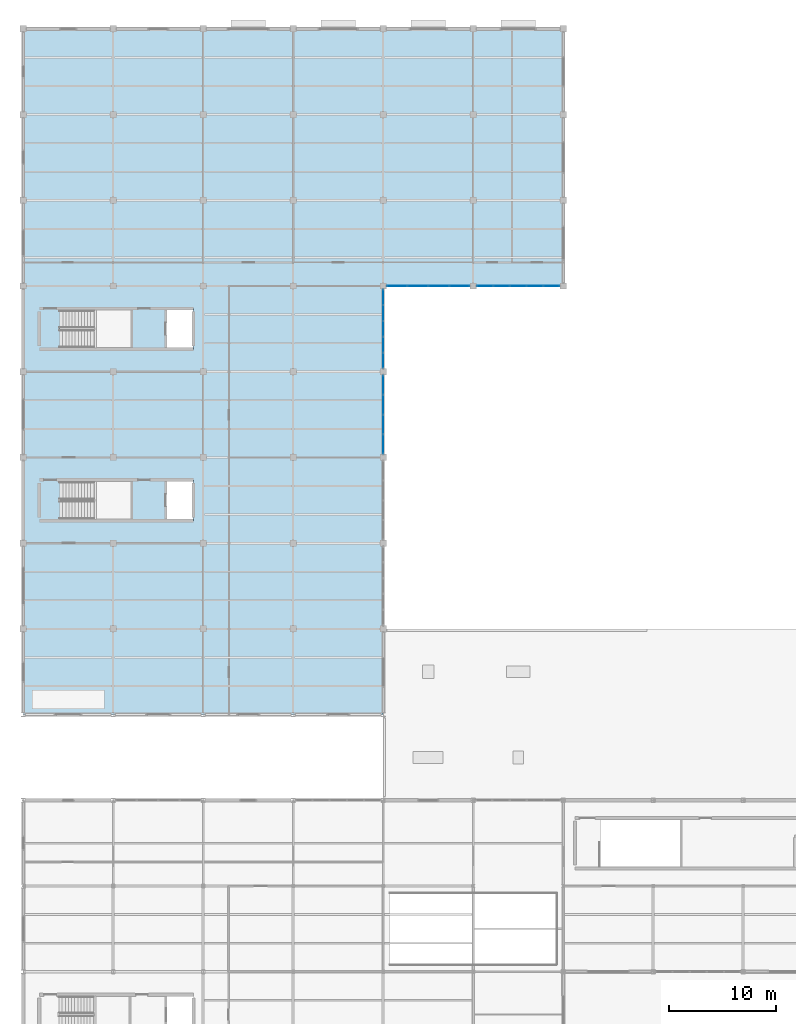
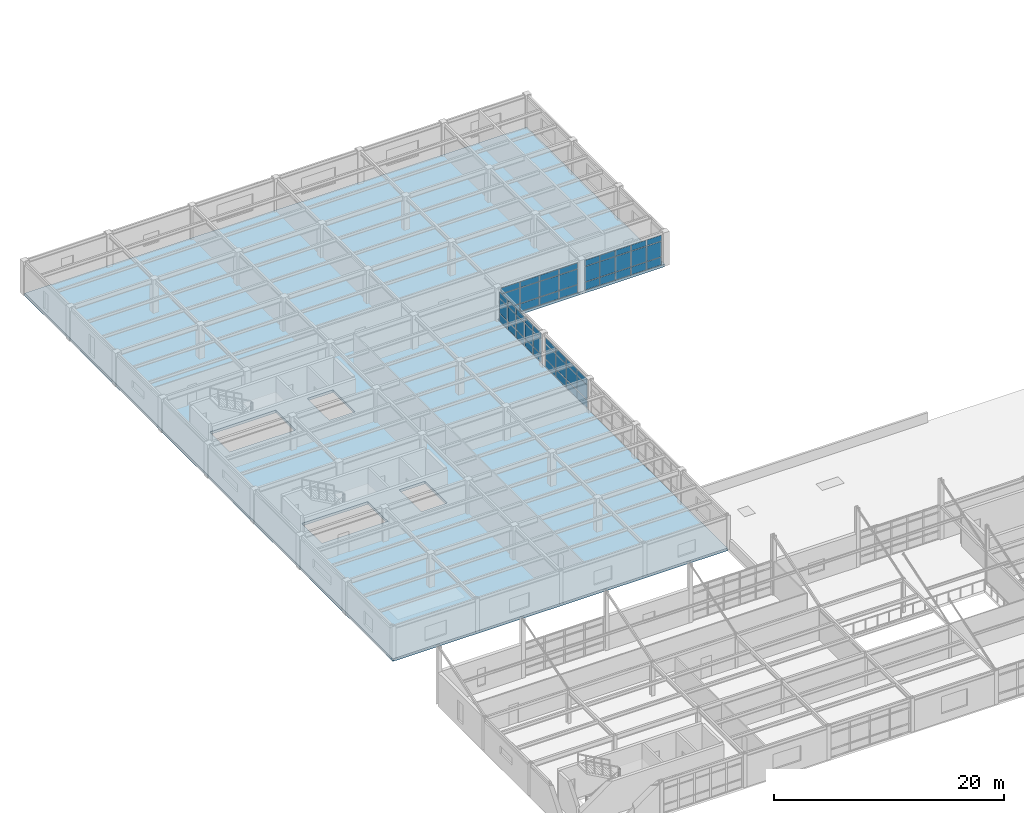
# One storey, part 40 of 96: 54 plates, 1 slab, 4 elements without a shape of their own.
"""IFC4 building model written with IfcOpenShell, lengths in metres."""

from ifc_helpers import new_model, si_unit, direction, frame, origin, origin_2d, place, context, subcontext, project, spatial, polyline, rectangle, outline, extrude, material, layer, layer_set, type_object, element, aggregate, save


model = new_model("IFC4")

# Units and contexts
model_context = context("Model", 3, precision=1e-05, world=origin(), true_north=direction((0.0, 1.0)))
body_context = subcontext(model_context, "Body", "Model", "MODEL_VIEW")
ifc_project = project(units=[si_unit("LENGTHUNIT", "METRE"), si_unit("AREAUNIT", "SQUARE_METRE"), si_unit("VOLUMEUNIT", "CUBIC_METRE"), si_unit("PLANEANGLEUNIT", "RADIAN"), si_unit("MASSUNIT", "GRAM", prefix="KILO")], contexts=[model_context])

# Site, building, storey
site_placement = place(None, origin())
site = spatial("IfcSite", under=ifc_project, at=site_placement, CompositionType="ELEMENT")
building_placement = place(site_placement, origin())
building = spatial("IfcBuilding", under=site, at=building_placement, Name="Kranzveld Transit Interchange", CompositionType="ELEMENT")
storey_placement = place(building_placement, frame((0.0, 0.0, 9.52001953125)))
storey = spatial("IfcBuildingStorey", under=building, at=storey_placement, Name="L02", CompositionType="ELEMENT", Elevation=9.52001953125)

# Slab
ifc_material_1 = material(Name="Concrete C35/45", Category="concrete")
ifc_layer_1 = layer(ifc_material_1, 0.280029296875)
ifc_layer_set_1 = layer_set([ifc_layer_1], Name="Concrete C35/45")
slab_type = type_object("IfcSlabType", Name="Composite Floor Slab 280 C35/45", PredefinedType="FLOOR", material=ifc_layer_set_1)
slab_placement = place(storey_placement, frame((0.0, 0.0, -0.280029296875)))
element("IfcSlab", 1, at=slab_placement, inside=storey, type_object=slab_type, Name="L02 Suspended Floor Slab 3", PredefinedType="FLOOR", context=body_context, shape_type="SweptSolid", body=[
    extrude(outline(polyline([(50.39990234375, 112.0), (50.39990234375, 88.0), (33.60009765625, 88.0), (33.60009765625, 48.0), (0.0, 48.0), (0.0, 112.0), (33.60009765625, 112.0), (50.39990234375, 112.0)]), holes=[polyline([(10.050048828125, 69.72998046875), (3.41796875, 69.72998046875), (3.41796875, 66.27001953125), (10.050048828125, 66.27001953125), (10.050048828125, 69.72998046875)]), polyline([(15.89990234375, 69.909912109375), (13.300048828125, 69.909912109375), (13.300048828125, 66.090087890625), (15.89990234375, 66.090087890625), (15.89990234375, 69.909912109375)]), polyline([(10.050048828125, 82.27001953125), (10.050048828125, 85.72998046875), (3.41796875, 85.72998046875), (3.41796875, 82.27001953125), (10.050048828125, 82.27001953125)]), polyline([(13.300048828125, 85.909912109375), (13.300048828125, 82.090087890625), (15.89990234375, 82.090087890625), (15.89990234375, 85.909912109375), (13.300048828125, 85.909912109375)])]), origin(), (0.0, 0.0, 1.0), 0.280029296875),
])

# Curtain wall, plates
ifc_material_2 = material(Name="Bronze-anodised thermally broken aluminium", Category="aluminium")
ifc_layer_2 = layer(ifc_material_2, 0.1650390625)
ifc_layer_set_2 = layer_set([ifc_layer_2], Name="Bronze-anodised thermally broken aluminium")
curtain_wall_type_1 = type_object("IfcCurtainWallType", Name="Sunny Court Arcade Curtain Wall CW-2", PredefinedType="USERDEFINED", material=ifc_layer_set_2)
curtain_wall_1_placement = place(storey_placement, origin())
curtain_wall_1 = element("IfcCurtainWall", 2, at=curtain_wall_1_placement, inside=storey, type_object=curtain_wall_type_1, Name="L02 Curtain Wall 05/L-05/M", ObjectType="CURTAIN WALL", PredefinedType="USERDEFINED")
ifc_material_3 = material(Name="Solar-control double glazing", Category="glass")
ifc_layer_3 = layer(ifc_material_3, 0.02392578125)
ifc_layer_set_3 = layer_set([ifc_layer_3], Name="Solar-control double glazing")
plate_type_1 = type_object("IfcPlateType", Name="Curtain Panel Clear Glazing 24", PredefinedType="CURTAIN_PANEL", material=ifc_layer_set_3)
plate_1_placement = place(storey_placement, frame((33.60009765625, 81.05615234375, 0.06005859375), z_axis=(0.0, 0.0, 1.0), x_axis=(0.0, 1.0, 0.0)))
plate_1 = element("IfcPlate", 3, at=plate_1_placement, type_object=plate_type_1, Name="CW-2 panel 1.1", PredefinedType="CURTAIN_PANEL", context=body_context, shape_type="SweptSolid", body=[
    extrude(rectangle(XDim=1.382568359375, YDim=0.02392578125, at=origin_2d()), origin(), (0.0, 0.0, 1.0), 0.81005859375),
])
plate_2_placement = place(storey_placement, frame((33.60009765625, 81.05615234375, 0.929931640625), z_axis=(0.0, 0.0, 1.0), x_axis=(0.0, 1.0, 0.0)))
plate_2 = element("IfcPlate", 4, at=plate_2_placement, type_object=plate_type_1, Name="CW-2 panel 1.2", PredefinedType="CURTAIN_PANEL", context=body_context, shape_type="SweptSolid", body=[
    extrude(rectangle(XDim=1.382568359375, YDim=0.02392578125, at=origin_2d()), origin(), (0.0, 0.0, 1.0), 1.55859375),
])
plate_3_placement = place(storey_placement, frame((33.60009765625, 81.05615234375, 2.54833984375), z_axis=(0.0, 0.0, 1.0), x_axis=(0.0, 1.0, 0.0)))
plate_3 = element("IfcPlate", 5, at=plate_3_placement, type_object=plate_type_1, Name="CW-2 panel 1.3", PredefinedType="CURTAIN_PANEL", context=body_context, shape_type="SweptSolid", body=[
    extrude(rectangle(XDim=1.382568359375, YDim=0.02392578125, at=origin_2d()), origin(), (0.0, 0.0, 1.0), 0.610107421875),
])
plate_4_placement = place(storey_placement, frame((33.60009765625, 82.52001953125, 0.06005859375), z_axis=(0.0, 0.0, 1.0), x_axis=(0.0, 1.0, 0.0)))
plate_4 = element("IfcPlate", 6, at=plate_4_placement, type_object=plate_type_1, Name="CW-2 panel 2.1", PredefinedType="CURTAIN_PANEL", context=body_context, shape_type="SweptSolid", body=[
    extrude(rectangle(XDim=1.4150390625, YDim=0.02392578125, at=origin_2d()), origin(), (0.0, 0.0, 1.0), 0.81005859375),
])
plate_5_placement = place(storey_placement, frame((33.60009765625, 82.52001953125, 0.929931640625), z_axis=(0.0, 0.0, 1.0), x_axis=(0.0, 1.0, 0.0)))
plate_5 = element("IfcPlate", 7, at=plate_5_placement, type_object=plate_type_1, Name="CW-2 panel 2.2", PredefinedType="CURTAIN_PANEL", context=body_context, shape_type="SweptSolid", body=[
    extrude(rectangle(XDim=1.4150390625, YDim=0.02392578125, at=origin_2d()), origin(), (0.0, 0.0, 1.0), 1.55859375),
])
plate_6_placement = place(storey_placement, frame((33.60009765625, 82.52001953125, 2.54833984375), z_axis=(0.0, 0.0, 1.0), x_axis=(0.0, 1.0, 0.0)))
plate_6 = element("IfcPlate", 8, at=plate_6_placement, type_object=plate_type_1, Name="CW-2 panel 2.3", PredefinedType="CURTAIN_PANEL", context=body_context, shape_type="SweptSolid", body=[
    extrude(rectangle(XDim=1.4150390625, YDim=0.02392578125, at=origin_2d()), origin(), (0.0, 0.0, 1.0), 0.610107421875),
])
plate_7_placement = place(storey_placement, frame((33.60009765625, 84.0, 0.06005859375), z_axis=(0.0, 0.0, 1.0), x_axis=(0.0, 1.0, 0.0)))
plate_7 = element("IfcPlate", 9, at=plate_7_placement, type_object=plate_type_1, Name="CW-2 panel 3.1", PredefinedType="CURTAIN_PANEL", context=body_context, shape_type="SweptSolid", body=[
    extrude(rectangle(XDim=1.4150390625, YDim=0.02392578125, at=origin_2d()), origin(), (0.0, 0.0, 1.0), 0.81005859375),
])
plate_8_placement = place(storey_placement, frame((33.60009765625, 84.0, 0.929931640625), z_axis=(0.0, 0.0, 1.0), x_axis=(0.0, 1.0, 0.0)))
plate_8 = element("IfcPlate", 10, at=plate_8_placement, type_object=plate_type_1, Name="CW-2 panel 3.2", PredefinedType="CURTAIN_PANEL", context=body_context, shape_type="SweptSolid", body=[
    extrude(rectangle(XDim=1.4150390625, YDim=0.02392578125, at=origin_2d()), origin(), (0.0, 0.0, 1.0), 1.55859375),
])
plate_9_placement = place(storey_placement, frame((33.60009765625, 84.0, 2.54833984375), z_axis=(0.0, 0.0, 1.0), x_axis=(0.0, 1.0, 0.0)))
plate_9 = element("IfcPlate", 11, at=plate_9_placement, type_object=plate_type_1, Name="CW-2 panel 3.3", PredefinedType="CURTAIN_PANEL", context=body_context, shape_type="SweptSolid", body=[
    extrude(rectangle(XDim=1.4150390625, YDim=0.02392578125, at=origin_2d()), origin(), (0.0, 0.0, 1.0), 0.610107421875),
])
plate_10_placement = place(storey_placement, frame((33.60009765625, 85.47998046875, 0.06005859375), z_axis=(0.0, 0.0, 1.0), x_axis=(0.0, 1.0, 0.0)))
plate_10 = element("IfcPlate", 12, at=plate_10_placement, type_object=plate_type_1, Name="CW-2 panel 4.1", PredefinedType="CURTAIN_PANEL", context=body_context, shape_type="SweptSolid", body=[
    extrude(rectangle(XDim=1.4150390625, YDim=0.02392578125, at=origin_2d()), origin(), (0.0, 0.0, 1.0), 0.81005859375),
])
plate_11_placement = place(storey_placement, frame((33.60009765625, 85.47998046875, 0.929931640625), z_axis=(0.0, 0.0, 1.0), x_axis=(0.0, 1.0, 0.0)))
plate_11 = element("IfcPlate", 13, at=plate_11_placement, type_object=plate_type_1, Name="CW-2 panel 4.2", PredefinedType="CURTAIN_PANEL", context=body_context, shape_type="SweptSolid", body=[
    extrude(rectangle(XDim=1.4150390625, YDim=0.02392578125, at=origin_2d()), origin(), (0.0, 0.0, 1.0), 1.55859375),
])
plate_12_placement = place(storey_placement, frame((33.60009765625, 85.47998046875, 2.54833984375), z_axis=(0.0, 0.0, 1.0), x_axis=(0.0, 1.0, 0.0)))
plate_12 = element("IfcPlate", 14, at=plate_12_placement, type_object=plate_type_1, Name="CW-2 panel 4.3", PredefinedType="CURTAIN_PANEL", context=body_context, shape_type="SweptSolid", body=[
    extrude(rectangle(XDim=1.4150390625, YDim=0.02392578125, at=origin_2d()), origin(), (0.0, 0.0, 1.0), 0.610107421875),
])
plate_13_placement = place(storey_placement, frame((33.60009765625, 86.94384765625, 0.06005859375), z_axis=(0.0, 0.0, 1.0), x_axis=(0.0, 1.0, 0.0)))
plate_13 = element("IfcPlate", 15, at=plate_13_placement, type_object=plate_type_1, Name="CW-2 panel 5.1", PredefinedType="CURTAIN_PANEL", context=body_context, shape_type="SweptSolid", body=[
    extrude(rectangle(XDim=1.382568359375, YDim=0.02392578125, at=origin_2d()), origin(), (0.0, 0.0, 1.0), 0.81005859375),
])
plate_14_placement = place(storey_placement, frame((33.60009765625, 86.94384765625, 0.929931640625), z_axis=(0.0, 0.0, 1.0), x_axis=(0.0, 1.0, 0.0)))
plate_14 = element("IfcPlate", 16, at=plate_14_placement, type_object=plate_type_1, Name="CW-2 panel 5.2", PredefinedType="CURTAIN_PANEL", context=body_context, shape_type="SweptSolid", body=[
    extrude(rectangle(XDim=1.382568359375, YDim=0.02392578125, at=origin_2d()), origin(), (0.0, 0.0, 1.0), 1.55859375),
])
plate_15_placement = place(storey_placement, frame((33.60009765625, 86.94384765625, 2.54833984375), z_axis=(0.0, 0.0, 1.0), x_axis=(0.0, 1.0, 0.0)))
plate_15 = element("IfcPlate", 17, at=plate_15_placement, type_object=plate_type_1, Name="CW-2 panel 5.3", PredefinedType="CURTAIN_PANEL", context=body_context, shape_type="SweptSolid", body=[
    extrude(rectangle(XDim=1.382568359375, YDim=0.02392578125, at=origin_2d()), origin(), (0.0, 0.0, 1.0), 0.610107421875),
])
aggregate(curtain_wall_1, [plate_1, plate_2, plate_3, plate_4, plate_5, plate_6, plate_7, plate_8, plate_9, plate_10, plate_11, plate_12, plate_13, plate_14, plate_15])

ifc_material_4 = material(Name="Bronze-anodised thermally broken aluminium", Category="aluminium")
ifc_layer_4 = layer(ifc_material_4, 0.179931640625)
ifc_layer_set_4 = layer_set([ifc_layer_4], Name="Bronze-anodised thermally broken aluminium")
curtain_wall_type_2 = type_object("IfcCurtainWallType", Name="Concourse Unitised Curtain Wall CW-1", PredefinedType="USERDEFINED", material=ifc_layer_set_4)
curtain_wall_2_placement = place(storey_placement, origin())
curtain_wall_2 = element("IfcCurtainWall", 18, at=curtain_wall_2_placement, inside=storey, type_object=curtain_wall_type_2, Name="L02 Curtain Wall 05/K-05/L", ObjectType="CURTAIN WALL", PredefinedType="USERDEFINED")
ifc_material_5 = material(Name="Solar-control double glazing", Category="glass")
ifc_layer_5 = layer(ifc_material_5, 0.028076171875)
ifc_layer_set_5 = layer_set([ifc_layer_5], Name="Solar-control double glazing")
plate_type_2 = type_object("IfcPlateType", Name="Curtain Panel Double Glazing 28", PredefinedType="CURTAIN_PANEL", material=ifc_layer_set_5)
plate_16_placement = place(storey_placement, frame((33.60009765625, 73.2412109375, 0.06494140625), z_axis=(0.0, 0.0, 1.0), x_axis=(0.0, 1.0, 0.0)))
plate_16 = element("IfcPlate", 19, at=plate_16_placement, type_object=plate_type_2, Name="CW-1 panel 1.1", PredefinedType="CURTAIN_PANEL", context=body_context, shape_type="SweptSolid", body=[
    extrude(rectangle(XDim=1.75244140625, YDim=0.028076171875, at=origin_2d()), origin(), (0.0, 0.0, 1.0), 0.802490234375),
])
plate_17_placement = place(storey_placement, frame((33.60009765625, 73.2412109375, 0.932373046875), z_axis=(0.0, 0.0, 1.0), x_axis=(0.0, 1.0, 0.0)))
plate_17 = element("IfcPlate", 20, at=plate_17_placement, type_object=plate_type_2, Name="CW-1 panel 1.2", PredefinedType="CURTAIN_PANEL", context=body_context, shape_type="SweptSolid", body=[
    extrude(rectangle(XDim=1.75244140625, YDim=0.028076171875, at=origin_2d()), origin(), (0.0, 0.0, 1.0), 1.5537109375),
])
plate_18_placement = place(storey_placement, frame((33.60009765625, 73.2412109375, 2.551025390625), z_axis=(0.0, 0.0, 1.0), x_axis=(0.0, 1.0, 0.0)))
plate_18 = element("IfcPlate", 21, at=plate_18_placement, type_object=plate_type_2, Name="CW-1 panel 1.3", PredefinedType="CURTAIN_PANEL", context=body_context, shape_type="SweptSolid", body=[
    extrude(rectangle(XDim=1.75244140625, YDim=0.028076171875, at=origin_2d()), origin(), (0.0, 0.0, 1.0), 0.6025390625),
])
plate_19_placement = place(storey_placement, frame((33.60009765625, 75.074951171875, 0.06494140625), z_axis=(0.0, 0.0, 1.0), x_axis=(0.0, 1.0, 0.0)))
plate_19 = element("IfcPlate", 22, at=plate_19_placement, type_object=plate_type_2, Name="CW-1 panel 2.1", PredefinedType="CURTAIN_PANEL", context=body_context, shape_type="SweptSolid", body=[
    extrude(rectangle(XDim=1.784912109375, YDim=0.028076171875, at=origin_2d()), origin(), (0.0, 0.0, 1.0), 0.802490234375),
])
plate_20_placement = place(storey_placement, frame((33.60009765625, 75.074951171875, 0.932373046875), z_axis=(0.0, 0.0, 1.0), x_axis=(0.0, 1.0, 0.0)))
plate_20 = element("IfcPlate", 23, at=plate_20_placement, type_object=plate_type_2, Name="CW-1 panel 2.2", PredefinedType="CURTAIN_PANEL", context=body_context, shape_type="SweptSolid", body=[
    extrude(rectangle(XDim=1.784912109375, YDim=0.028076171875, at=origin_2d()), origin(), (0.0, 0.0, 1.0), 1.5537109375),
])
plate_21_placement = place(storey_placement, frame((33.60009765625, 75.074951171875, 2.551025390625), z_axis=(0.0, 0.0, 1.0), x_axis=(0.0, 1.0, 0.0)))
plate_21 = element("IfcPlate", 24, at=plate_21_placement, type_object=plate_type_2, Name="CW-1 panel 2.3", PredefinedType="CURTAIN_PANEL", context=body_context, shape_type="SweptSolid", body=[
    extrude(rectangle(XDim=1.784912109375, YDim=0.028076171875, at=origin_2d()), origin(), (0.0, 0.0, 1.0), 0.6025390625),
])
plate_22_placement = place(storey_placement, frame((33.60009765625, 76.925048828125, 0.06494140625), z_axis=(0.0, 0.0, 1.0), x_axis=(0.0, 1.0, 0.0)))
plate_22 = element("IfcPlate", 25, at=plate_22_placement, type_object=plate_type_2, Name="CW-1 panel 3.1", PredefinedType="CURTAIN_PANEL", context=body_context, shape_type="SweptSolid", body=[
    extrude(rectangle(XDim=1.784912109375, YDim=0.028076171875, at=origin_2d()), origin(), (0.0, 0.0, 1.0), 0.802490234375),
])
plate_23_placement = place(storey_placement, frame((33.60009765625, 76.925048828125, 0.932373046875), z_axis=(0.0, 0.0, 1.0), x_axis=(0.0, 1.0, 0.0)))
plate_23 = element("IfcPlate", 26, at=plate_23_placement, type_object=plate_type_2, Name="CW-1 panel 3.2", PredefinedType="CURTAIN_PANEL", context=body_context, shape_type="SweptSolid", body=[
    extrude(rectangle(XDim=1.784912109375, YDim=0.028076171875, at=origin_2d()), origin(), (0.0, 0.0, 1.0), 1.5537109375),
])
plate_24_placement = place(storey_placement, frame((33.60009765625, 76.925048828125, 2.551025390625), z_axis=(0.0, 0.0, 1.0), x_axis=(0.0, 1.0, 0.0)))
plate_24 = element("IfcPlate", 27, at=plate_24_placement, type_object=plate_type_2, Name="CW-1 panel 3.3", PredefinedType="CURTAIN_PANEL", context=body_context, shape_type="SweptSolid", body=[
    extrude(rectangle(XDim=1.784912109375, YDim=0.028076171875, at=origin_2d()), origin(), (0.0, 0.0, 1.0), 0.6025390625),
])
plate_25_placement = place(storey_placement, frame((33.60009765625, 78.7587890625, 0.06494140625), z_axis=(0.0, 0.0, 1.0), x_axis=(0.0, 1.0, 0.0)))
plate_25 = element("IfcPlate", 28, at=plate_25_placement, type_object=plate_type_2, Name="CW-1 panel 4.1", PredefinedType="CURTAIN_PANEL", context=body_context, shape_type="SweptSolid", body=[
    extrude(rectangle(XDim=1.75244140625, YDim=0.028076171875, at=origin_2d()), origin(), (0.0, 0.0, 1.0), 0.802490234375),
])
plate_26_placement = place(storey_placement, frame((33.60009765625, 78.7587890625, 0.932373046875), z_axis=(0.0, 0.0, 1.0), x_axis=(0.0, 1.0, 0.0)))
plate_26 = element("IfcPlate", 29, at=plate_26_placement, type_object=plate_type_2, Name="CW-1 panel 4.2", PredefinedType="CURTAIN_PANEL", context=body_context, shape_type="SweptSolid", body=[
    extrude(rectangle(XDim=1.75244140625, YDim=0.028076171875, at=origin_2d()), origin(), (0.0, 0.0, 1.0), 1.5537109375),
])
plate_27_placement = place(storey_placement, frame((33.60009765625, 78.7587890625, 2.551025390625), z_axis=(0.0, 0.0, 1.0), x_axis=(0.0, 1.0, 0.0)))
plate_27 = element("IfcPlate", 30, at=plate_27_placement, type_object=plate_type_2, Name="CW-1 panel 4.3", PredefinedType="CURTAIN_PANEL", context=body_context, shape_type="SweptSolid", body=[
    extrude(rectangle(XDim=1.75244140625, YDim=0.028076171875, at=origin_2d()), origin(), (0.0, 0.0, 1.0), 0.6025390625),
])
aggregate(curtain_wall_2, [plate_16, plate_17, plate_18, plate_19, plate_20, plate_21, plate_22, plate_23, plate_24, plate_25, plate_26, plate_27])

ifc_material_6 = material(Name="Bronze-anodised thermally broken aluminium", Category="aluminium")
ifc_layer_6 = layer(ifc_material_6, 0.18505859375)
ifc_layer_set_6 = layer_set([ifc_layer_6], Name="Bronze-anodised thermally broken aluminium")
curtain_wall_type_3 = type_object("IfcCurtainWallType", Name="Control Crown Observation Facade CW-5", PredefinedType="USERDEFINED", material=ifc_layer_set_6)
curtain_wall_3_placement = place(storey_placement, origin())
curtain_wall_3 = element("IfcCurtainWall", 31, at=curtain_wall_3_placement, inside=storey, type_object=curtain_wall_type_3, Name="L02 Curtain Wall 05/M-06/M", ObjectType="CURTAIN WALL", PredefinedType="USERDEFINED")
ifc_material_7 = material(Name="Solar-control double glazing", Category="glass")
ifc_layer_7 = layer(ifc_material_7, 0.035888671875)
ifc_layer_set_7 = layer_set([ifc_layer_7], Name="Solar-control double glazing")
plate_type_3 = type_object("IfcPlateType", Name="Curtain Panel Triple Glazing 36", PredefinedType="CURTAIN_PANEL", material=ifc_layer_set_7)
plate_28_placement = place(storey_placement, frame((34.891357421875, 88.0, 0.06494140625), z_axis=(0.0, 0.0, 1.0), x_axis=(1.0, 0.0, 0.0)))
plate_28 = element("IfcPlate", 32, at=plate_28_placement, type_object=plate_type_3, Name="CW-5 panel 1.1", PredefinedType="CURTAIN_PANEL", context=body_context, shape_type="SweptSolid", body=[
    extrude(rectangle(XDim=1.8525390625, YDim=0.035888671875, at=origin_2d()), origin(), (0.0, 0.0, 1.0), 0.802490234375),
])
plate_29_placement = place(storey_placement, frame((34.891357421875, 88.0, 0.932373046875), z_axis=(0.0, 0.0, 1.0), x_axis=(1.0, 0.0, 0.0)))
plate_29 = element("IfcPlate", 33, at=plate_29_placement, type_object=plate_type_3, Name="CW-5 panel 1.2", PredefinedType="CURTAIN_PANEL", context=body_context, shape_type="SweptSolid", body=[
    extrude(rectangle(XDim=1.8525390625, YDim=0.035888671875, at=origin_2d()), origin(), (0.0, 0.0, 1.0), 1.60498046875),
])
plate_30_placement = place(storey_placement, frame((34.891357421875, 88.0, 2.6025390625), z_axis=(0.0, 0.0, 1.0), x_axis=(1.0, 0.0, 0.0)))
plate_30 = element("IfcPlate", 34, at=plate_30_placement, type_object=plate_type_3, Name="CW-5 panel 1.3", PredefinedType="CURTAIN_PANEL", context=body_context, shape_type="SweptSolid", body=[
    extrude(rectangle(XDim=1.8525390625, YDim=0.035888671875, at=origin_2d()), origin(), (0.0, 0.0, 1.0), 0.6025390625),
])
plate_31_placement = place(storey_placement, frame((36.824951171875, 88.0, 0.06494140625), z_axis=(0.0, 0.0, 1.0), x_axis=(1.0, 0.0, 0.0)))
plate_31 = element("IfcPlate", 35, at=plate_31_placement, type_object=plate_type_3, Name="CW-5 panel 2.1", PredefinedType="CURTAIN_PANEL", context=body_context, shape_type="SweptSolid", body=[
    extrude(rectangle(XDim=1.885009765625, YDim=0.035888671875, at=origin_2d()), origin(), (0.0, 0.0, 1.0), 0.802490234375),
])
plate_32_placement = place(storey_placement, frame((36.824951171875, 88.0, 0.932373046875), z_axis=(0.0, 0.0, 1.0), x_axis=(1.0, 0.0, 0.0)))
plate_32 = element("IfcPlate", 36, at=plate_32_placement, type_object=plate_type_3, Name="CW-5 panel 2.2", PredefinedType="CURTAIN_PANEL", context=body_context, shape_type="SweptSolid", body=[
    extrude(rectangle(XDim=1.885009765625, YDim=0.035888671875, at=origin_2d()), origin(), (0.0, 0.0, 1.0), 1.60498046875),
])
plate_33_placement = place(storey_placement, frame((36.824951171875, 88.0, 2.6025390625), z_axis=(0.0, 0.0, 1.0), x_axis=(1.0, 0.0, 0.0)))
plate_33 = element("IfcPlate", 37, at=plate_33_placement, type_object=plate_type_3, Name="CW-5 panel 2.3", PredefinedType="CURTAIN_PANEL", context=body_context, shape_type="SweptSolid", body=[
    extrude(rectangle(XDim=1.885009765625, YDim=0.035888671875, at=origin_2d()), origin(), (0.0, 0.0, 1.0), 0.6025390625),
])
plate_34_placement = place(storey_placement, frame((38.77490234375, 88.0, 0.06494140625), z_axis=(0.0, 0.0, 1.0), x_axis=(1.0, 0.0, 0.0)))
plate_34 = element("IfcPlate", 38, at=plate_34_placement, type_object=plate_type_3, Name="CW-5 panel 3.1", PredefinedType="CURTAIN_PANEL", context=body_context, shape_type="SweptSolid", body=[
    extrude(rectangle(XDim=1.885009765625, YDim=0.035888671875, at=origin_2d()), origin(), (0.0, 0.0, 1.0), 0.802490234375),
])
plate_35_placement = place(storey_placement, frame((38.77490234375, 88.0, 0.932373046875), z_axis=(0.0, 0.0, 1.0), x_axis=(1.0, 0.0, 0.0)))
plate_35 = element("IfcPlate", 39, at=plate_35_placement, type_object=plate_type_3, Name="CW-5 panel 3.2", PredefinedType="CURTAIN_PANEL", context=body_context, shape_type="SweptSolid", body=[
    extrude(rectangle(XDim=1.885009765625, YDim=0.035888671875, at=origin_2d()), origin(), (0.0, 0.0, 1.0), 1.60498046875),
])
plate_36_placement = place(storey_placement, frame((38.77490234375, 88.0, 2.6025390625), z_axis=(0.0, 0.0, 1.0), x_axis=(1.0, 0.0, 0.0)))
plate_36 = element("IfcPlate", 40, at=plate_36_placement, type_object=plate_type_3, Name="CW-5 panel 3.3", PredefinedType="CURTAIN_PANEL", context=body_context, shape_type="SweptSolid", body=[
    extrude(rectangle(XDim=1.885009765625, YDim=0.035888671875, at=origin_2d()), origin(), (0.0, 0.0, 1.0), 0.6025390625),
])
plate_37_placement = place(storey_placement, frame((40.708740234375, 88.0, 0.06494140625), z_axis=(0.0, 0.0, 1.0), x_axis=(1.0, 0.0, 0.0)))
plate_37 = element("IfcPlate", 41, at=plate_37_placement, type_object=plate_type_3, Name="CW-5 panel 4.1", PredefinedType="CURTAIN_PANEL", context=body_context, shape_type="SweptSolid", body=[
    extrude(rectangle(XDim=1.8525390625, YDim=0.035888671875, at=origin_2d()), origin(), (0.0, 0.0, 1.0), 0.802490234375),
])
plate_38_placement = place(storey_placement, frame((40.708740234375, 88.0, 0.932373046875), z_axis=(0.0, 0.0, 1.0), x_axis=(1.0, 0.0, 0.0)))
plate_38 = element("IfcPlate", 42, at=plate_38_placement, type_object=plate_type_3, Name="CW-5 panel 4.2", PredefinedType="CURTAIN_PANEL", context=body_context, shape_type="SweptSolid", body=[
    extrude(rectangle(XDim=1.8525390625, YDim=0.035888671875, at=origin_2d()), origin(), (0.0, 0.0, 1.0), 1.60498046875),
])
plate_39_placement = place(storey_placement, frame((40.708740234375, 88.0, 2.6025390625), z_axis=(0.0, 0.0, 1.0), x_axis=(1.0, 0.0, 0.0)))
plate_39 = element("IfcPlate", 43, at=plate_39_placement, type_object=plate_type_3, Name="CW-5 panel 4.3", PredefinedType="CURTAIN_PANEL", context=body_context, shape_type="SweptSolid", body=[
    extrude(rectangle(XDim=1.8525390625, YDim=0.035888671875, at=origin_2d()), origin(), (0.0, 0.0, 1.0), 0.6025390625),
])
aggregate(curtain_wall_3, [plate_28, plate_29, plate_30, plate_31, plate_32, plate_33, plate_34, plate_35, plate_36, plate_37, plate_38, plate_39])

ifc_material_8 = material(Name="Bronze-anodised thermally broken aluminium", Category="aluminium")
ifc_layer_8 = layer(ifc_material_8, 0.155029296875)
ifc_layer_set_8 = layer_set([ifc_layer_8], Name="Bronze-anodised thermally broken aluminium")
curtain_wall_type_4 = type_object("IfcCurtainWallType", Name="Operations Courtyard Glazed Screen CW-6", PredefinedType="USERDEFINED", material=ifc_layer_set_8)
curtain_wall_4_placement = place(storey_placement, origin())
curtain_wall_4 = element("IfcCurtainWall", 44, at=curtain_wall_4_placement, inside=storey, type_object=curtain_wall_type_4, Name="L02 Curtain Wall 06/M-07/M", ObjectType="CURTAIN WALL", PredefinedType="USERDEFINED")
ifc_material_9 = material(Name="Ochre Pretoria sandstone cladding, 45 MPa", Category="masonry")
ifc_layer_9 = layer(ifc_material_9, 0.0458984375)
ifc_layer_set_9 = layer_set([ifc_layer_9], Name="Ochre Pretoria sandstone cladding, 45 MPa")
plate_type_4 = type_object("IfcPlateType", Name="Curtain Spandrel Sandstone 46", PredefinedType="CURTAIN_PANEL", material=ifc_layer_set_9)
plate_40_placement = place(storey_placement, frame((43.09619140625, 88.0, 0.06005859375), z_axis=(0.0, 0.0, 1.0), x_axis=(1.0, 0.0, 0.0)))
plate_40 = element("IfcPlate", 45, at=plate_40_placement, type_object=plate_type_4, Name="CW-6 panel 1.1", PredefinedType="CURTAIN_PANEL", context=body_context, shape_type="SweptSolid", body=[
    extrude(rectangle(XDim=1.46240234375, YDim=0.0458984375, at=origin_2d()), origin(), (0.0, 0.0, 1.0), 0.81005859375),
])
plate_41_placement = place(storey_placement, frame((43.09619140625, 88.0, 0.9296875), z_axis=(0.0, 0.0, 1.0), x_axis=(1.0, 0.0, 0.0)))
plate_41 = element("IfcPlate", 46, at=plate_41_placement, type_object=plate_type_4, Name="CW-6 panel 1.2", PredefinedType="CURTAIN_PANEL", context=body_context, shape_type="SweptSolid", body=[
    extrude(rectangle(XDim=1.46240234375, YDim=0.0458984375, at=origin_2d()), origin(), (0.0, 0.0, 1.0), 1.610107421875),
])
plate_42_placement = place(storey_placement, frame((43.09619140625, 88.0, 2.60009765625), z_axis=(0.0, 0.0, 1.0), x_axis=(1.0, 0.0, 0.0)))
plate_42 = element("IfcPlate", 47, at=plate_42_placement, type_object=plate_type_4, Name="CW-6 panel 1.3", PredefinedType="CURTAIN_PANEL", context=body_context, shape_type="SweptSolid", body=[
    extrude(rectangle(XDim=1.46240234375, YDim=0.0458984375, at=origin_2d()), origin(), (0.0, 0.0, 1.0), 0.610107421875),
])
plate_43_placement = place(storey_placement, frame((44.639892578125, 88.0, 0.06005859375), z_axis=(0.0, 0.0, 1.0), x_axis=(1.0, 0.0, 0.0)))
plate_43 = element("IfcPlate", 48, at=plate_43_placement, type_object=plate_type_4, Name="CW-6 panel 2.1", PredefinedType="CURTAIN_PANEL", context=body_context, shape_type="SweptSolid", body=[
    extrude(rectangle(XDim=1.4951171875, YDim=0.0458984375, at=origin_2d()), origin(), (0.0, 0.0, 1.0), 0.81005859375),
])
plate_44_placement = place(storey_placement, frame((44.639892578125, 88.0, 0.9296875), z_axis=(0.0, 0.0, 1.0), x_axis=(1.0, 0.0, 0.0)))
plate_44 = element("IfcPlate", 49, at=plate_44_placement, type_object=plate_type_4, Name="CW-6 panel 2.2", PredefinedType="CURTAIN_PANEL", context=body_context, shape_type="SweptSolid", body=[
    extrude(rectangle(XDim=1.4951171875, YDim=0.0458984375, at=origin_2d()), origin(), (0.0, 0.0, 1.0), 1.610107421875),
])
plate_45_placement = place(storey_placement, frame((44.639892578125, 88.0, 2.60009765625), z_axis=(0.0, 0.0, 1.0), x_axis=(1.0, 0.0, 0.0)))
plate_45 = element("IfcPlate", 50, at=plate_45_placement, type_object=plate_type_4, Name="CW-6 panel 2.3", PredefinedType="CURTAIN_PANEL", context=body_context, shape_type="SweptSolid", body=[
    extrude(rectangle(XDim=1.4951171875, YDim=0.0458984375, at=origin_2d()), origin(), (0.0, 0.0, 1.0), 0.610107421875),
])
plate_46_placement = place(storey_placement, frame((46.199951171875, 88.0, 0.06005859375), z_axis=(0.0, 0.0, 1.0), x_axis=(1.0, 0.0, 0.0)))
plate_46 = element("IfcPlate", 51, at=plate_46_placement, type_object=plate_type_4, Name="CW-6 panel 3.1", PredefinedType="CURTAIN_PANEL", context=body_context, shape_type="SweptSolid", body=[
    extrude(rectangle(XDim=1.4951171875, YDim=0.0458984375, at=origin_2d()), origin(), (0.0, 0.0, 1.0), 0.81005859375),
])
plate_47_placement = place(storey_placement, frame((46.199951171875, 88.0, 0.9296875), z_axis=(0.0, 0.0, 1.0), x_axis=(1.0, 0.0, 0.0)))
plate_47 = element("IfcPlate", 52, at=plate_47_placement, type_object=plate_type_4, Name="CW-6 panel 3.2", PredefinedType="CURTAIN_PANEL", context=body_context, shape_type="SweptSolid", body=[
    extrude(rectangle(XDim=1.4951171875, YDim=0.0458984375, at=origin_2d()), origin(), (0.0, 0.0, 1.0), 1.610107421875),
])
plate_48_placement = place(storey_placement, frame((46.199951171875, 88.0, 2.60009765625), z_axis=(0.0, 0.0, 1.0), x_axis=(1.0, 0.0, 0.0)))
plate_48 = element("IfcPlate", 53, at=plate_48_placement, type_object=plate_type_4, Name="CW-6 panel 3.3", PredefinedType="CURTAIN_PANEL", context=body_context, shape_type="SweptSolid", body=[
    extrude(rectangle(XDim=1.4951171875, YDim=0.0458984375, at=origin_2d()), origin(), (0.0, 0.0, 1.0), 0.610107421875),
])
plate_49_placement = place(storey_placement, frame((47.760009765625, 88.0, 0.06005859375), z_axis=(0.0, 0.0, 1.0), x_axis=(1.0, 0.0, 0.0)))
plate_49 = element("IfcPlate", 54, at=plate_49_placement, type_object=plate_type_4, Name="CW-6 panel 4.1", PredefinedType="CURTAIN_PANEL", context=body_context, shape_type="SweptSolid", body=[
    extrude(rectangle(XDim=1.4951171875, YDim=0.0458984375, at=origin_2d()), origin(), (0.0, 0.0, 1.0), 0.81005859375),
])
plate_50_placement = place(storey_placement, frame((47.760009765625, 88.0, 0.9296875), z_axis=(0.0, 0.0, 1.0), x_axis=(1.0, 0.0, 0.0)))
plate_50 = element("IfcPlate", 55, at=plate_50_placement, type_object=plate_type_4, Name="CW-6 panel 4.2", PredefinedType="CURTAIN_PANEL", context=body_context, shape_type="SweptSolid", body=[
    extrude(rectangle(XDim=1.4951171875, YDim=0.0458984375, at=origin_2d()), origin(), (0.0, 0.0, 1.0), 1.610107421875),
])
plate_51_placement = place(storey_placement, frame((47.760009765625, 88.0, 2.60009765625), z_axis=(0.0, 0.0, 1.0), x_axis=(1.0, 0.0, 0.0)))
plate_51 = element("IfcPlate", 56, at=plate_51_placement, type_object=plate_type_4, Name="CW-6 panel 4.3", PredefinedType="CURTAIN_PANEL", context=body_context, shape_type="SweptSolid", body=[
    extrude(rectangle(XDim=1.4951171875, YDim=0.0458984375, at=origin_2d()), origin(), (0.0, 0.0, 1.0), 0.610107421875),
])
plate_52_placement = place(storey_placement, frame((49.3037109375, 88.0, 0.06005859375), z_axis=(0.0, 0.0, 1.0), x_axis=(1.0, 0.0, 0.0)))
plate_52 = element("IfcPlate", 57, at=plate_52_placement, type_object=plate_type_4, Name="CW-6 panel 5.1", PredefinedType="CURTAIN_PANEL", context=body_context, shape_type="SweptSolid", body=[
    extrude(rectangle(XDim=1.46240234375, YDim=0.0458984375, at=origin_2d()), origin(), (0.0, 0.0, 1.0), 0.81005859375),
])
plate_53_placement = place(storey_placement, frame((49.3037109375, 88.0, 0.9296875), z_axis=(0.0, 0.0, 1.0), x_axis=(1.0, 0.0, 0.0)))
plate_53 = element("IfcPlate", 58, at=plate_53_placement, type_object=plate_type_4, Name="CW-6 panel 5.2", PredefinedType="CURTAIN_PANEL", context=body_context, shape_type="SweptSolid", body=[
    extrude(rectangle(XDim=1.46240234375, YDim=0.0458984375, at=origin_2d()), origin(), (0.0, 0.0, 1.0), 1.610107421875),
])
plate_54_placement = place(storey_placement, frame((49.3037109375, 88.0, 2.60009765625), z_axis=(0.0, 0.0, 1.0), x_axis=(1.0, 0.0, 0.0)))
plate_54 = element("IfcPlate", 59, at=plate_54_placement, type_object=plate_type_4, Name="CW-6 panel 5.3", PredefinedType="CURTAIN_PANEL", context=body_context, shape_type="SweptSolid", body=[
    extrude(rectangle(XDim=1.46240234375, YDim=0.0458984375, at=origin_2d()), origin(), (0.0, 0.0, 1.0), 0.610107421875),
])
aggregate(curtain_wall_4, [plate_40, plate_41, plate_42, plate_43, plate_44, plate_45, plate_46, plate_47, plate_48, plate_49, plate_50, plate_51, plate_52, plate_53, plate_54])

save(model, "model.ifc")
